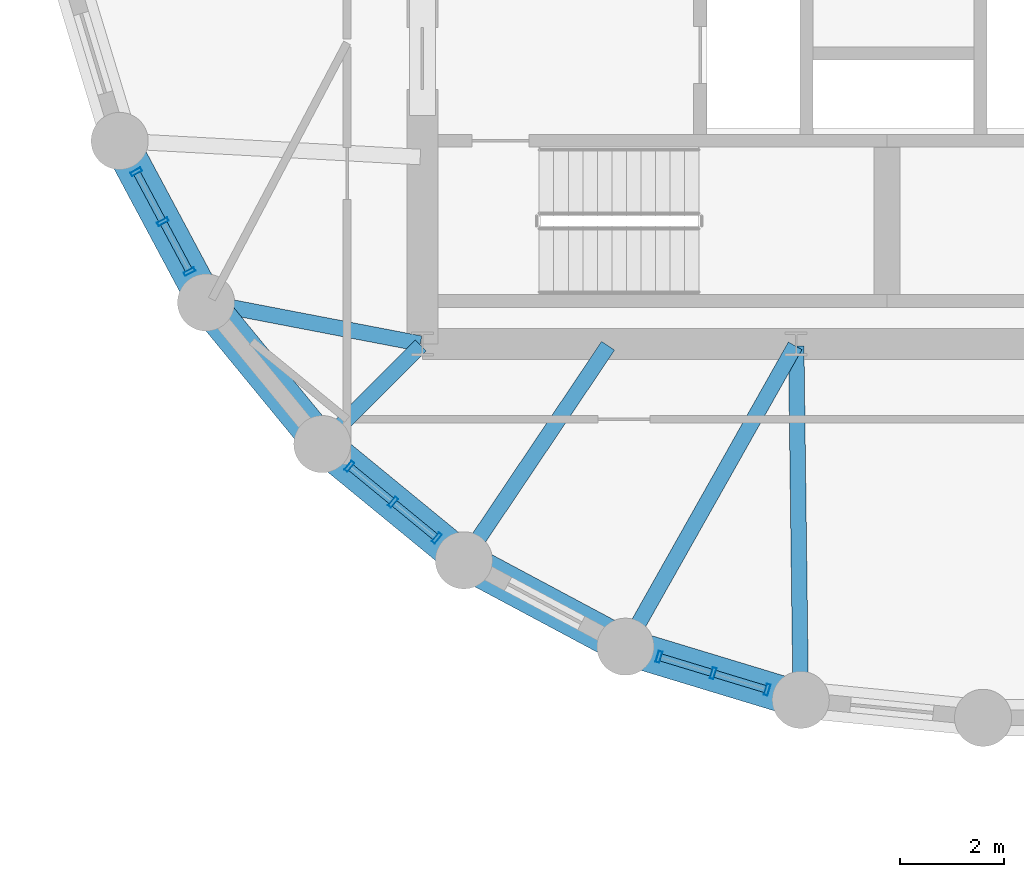
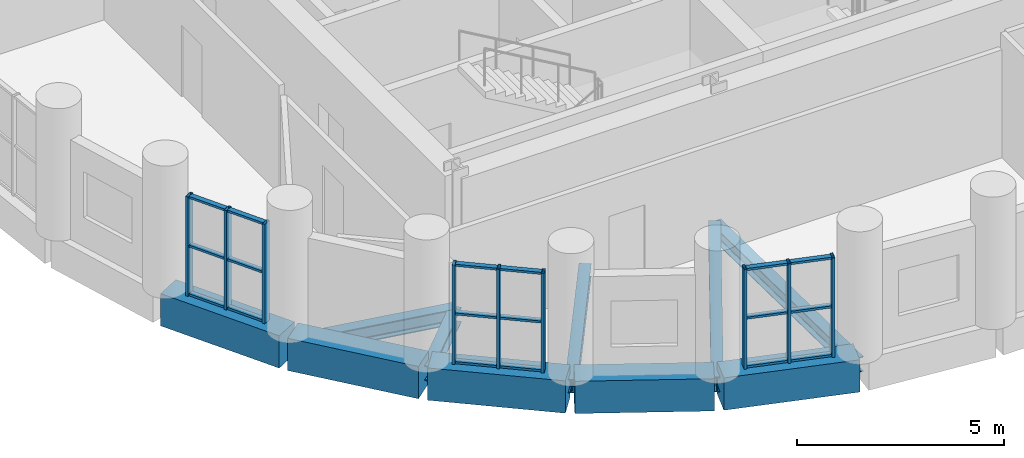
# One storey, part 2 of 11: 27 members, 10 beams, 3 elements without a shape of their own.
"""IFC4 building model written with IfcOpenShell, lengths in metres."""

from ifc_helpers import new_model, si_unit, direction, frame, origin, origin_2d, place, context, subcontext, project, spatial, rectangle, hollow_rectangle, i_section, extrude, material, layer, layer_set, material_profile, profile_set, type_object, element, aggregate, save


model = new_model("IFC4")

# Units and contexts
model_context = context("Model", 3, precision=1e-05, world=origin(), true_north=direction((0.0, 1.0)))
body_context = subcontext(model_context, "Body", "Model", "MODEL_VIEW")
ifc_project = project(units=[si_unit("LENGTHUNIT", "METRE"), si_unit("AREAUNIT", "SQUARE_METRE"), si_unit("VOLUMEUNIT", "CUBIC_METRE"), si_unit("PLANEANGLEUNIT", "RADIAN"), si_unit("MASSUNIT", "GRAM", prefix="KILO")], contexts=[model_context])

# Site, building, storey
site_placement = place(None, origin())
site = spatial("IfcSite", under=ifc_project, at=site_placement, CompositionType="ELEMENT")
building_placement = place(site_placement, origin())
building = spatial("IfcBuilding", under=site, at=building_placement, Name="Solnavia Interchange Tower", CompositionType="ELEMENT")
storey_placement = place(building_placement, frame((0.0, 0.0, 99.60009765625)))
storey = spatial("IfcBuildingStorey", under=building, at=storey_placement, Name="L24", CompositionType="ELEMENT", Elevation=99.60009765625)

# Beams
ifc_material_1 = material(Name="Steel S460", Category="steel")
ifc_material_profile_1 = material_profile(ifc_material_1, i_section(OverallWidth=0.300048828125, OverallDepth=0.449951171875, WebThickness=0.013916015625, FlangeThickness=0.02587890625, FilletRadius=0.027099609375, at=origin_2d()), Name="HEB 450")
ifc_profile_set_1 = profile_set([ifc_material_profile_1], Name="Steel S460")
beam_type_1 = type_object("IfcBeamType", Name="Beam-Girder-HEB450", PredefinedType="BEAM", material=ifc_profile_set_1)
beam_1_placement = place(storey_placement, frame((10.3125, 11.5849609375, -0.47509765625), z_axis=(0.982057527796, -0.188581579428, 0.0), x_axis=(0.188581579428, 0.982057527796, 0.0)))
element("IfcBeam", 1, at=beam_1_placement, inside=storey, type_object=beam_type_1, Name="GRD-L24-DR22 Drum radial floor girder", PredefinedType="BEAM", context=body_context, shape_type="SweptSolid", body=[
    extrude(i_section(OverallWidth=0.300048828125, OverallDepth=0.449951171875, WebThickness=0.013916015625, FlangeThickness=0.02587890625, FilletRadius=0.027099609375, at=origin_2d()), origin(), (0.0, 0.0, 1.0), 4.1220703125),
])
beam_2_placement = place(storey_placement, frame((18.351318359375, 5.039794921875, -0.47509765625), z_axis=(0.491243158486, 0.871022479182, 0.0), x_axis=(-0.871022479182, 0.491243158486, 0.0)))
element("IfcBeam", 2, at=beam_2_placement, inside=storey, type_object=beam_type_1, Name="GRD-L24-DR25 Drum radial floor girder", PredefinedType="BEAM", context=body_context, shape_type="SweptSolid", body=[
    extrude(i_section(OverallWidth=0.300048828125, OverallDepth=0.449951171875, WebThickness=0.013916015625, FlangeThickness=0.02587890625, FilletRadius=0.027099609375, at=origin_2d()), origin(), (0.0, 0.0, 1.0), 6.5732421875),
])
ifc_material_2 = material(Name="Steel S355", Category="steel")
ifc_material_profile_2 = material_profile(ifc_material_2, i_section(OverallWidth=0.300048828125, OverallDepth=0.389892578125, WebThickness=0.010986328125, FlangeThickness=0.01904296875, FilletRadius=0.027099609375, at=origin_2d()), Name="HEA 400")
ifc_profile_set_2 = profile_set([ifc_material_profile_2], Name="Steel S355")
beam_type_2 = type_object("IfcBeamType", Name="Beam-Primary-HEA400", PredefinedType="BEAM", material=ifc_profile_set_2)
beam_3_placement = place(storey_placement, frame((15.24462890625, 6.700439453125, -0.445068359375), z_axis=(0.557835474219, 0.829951555033, 0.0), x_axis=(-0.829951555033, 0.557835474219, 0.0)))
element("IfcBeam", 3, at=beam_3_placement, inside=storey, type_object=beam_type_2, Name="GRD-L24-DR24 Drum radial floor girder", PredefinedType="BEAM", context=body_context, shape_type="SweptSolid", body=[
    extrude(i_section(OverallWidth=0.300048828125, OverallDepth=0.389892578125, WebThickness=0.010986328125, FlangeThickness=0.01904296875, FilletRadius=0.027099609375, at=origin_2d()), origin(), (0.0, 0.0, 1.0), 4.899658203125),
])
ifc_material_profile_3 = material_profile(ifc_material_2, i_section(OverallWidth=0.300048828125, OverallDepth=0.43994140625, WebThickness=0.011474609375, FlangeThickness=0.02099609375, FilletRadius=0.027099609375, at=origin_2d()), Name="HEA 450")
ifc_profile_set_3 = profile_set([ifc_material_profile_3], Name="Steel S355")
beam_type_3 = type_object("IfcBeamType", Name="Beam-Primary-HEA450", PredefinedType="BEAM", material=ifc_profile_set_3)
beam_4_placement = place(storey_placement, frame((12.528564453125, 8.9287109375, -0.47021484375), z_axis=(0.707106781187, 0.707106781187, 0.0), x_axis=(-0.707106781187, 0.707106781187, 0.0)))
element("IfcBeam", 4, at=beam_4_placement, inside=storey, type_object=beam_type_3, Name="GRD-L24-DR23 Drum radial floor girder", PredefinedType="BEAM", context=body_context, shape_type="SweptSolid", body=[
    extrude(i_section(OverallWidth=0.300048828125, OverallDepth=0.43994140625, WebThickness=0.011474609375, FlangeThickness=0.02099609375, FilletRadius=0.027099609375, at=origin_2d()), origin(), (0.0, 0.0, 1.0), 2.6064453125),
])
beam_5_placement = place(storey_placement, frame((21.68701171875, 4.02587890625, -0.47021484375), z_axis=(-0.01283293513, 0.999917654498, 0.0), x_axis=(-0.999917654498, -0.01283293513, 0.0)))
element("IfcBeam", 5, at=beam_5_placement, inside=storey, type_object=beam_type_3, Name="GRD-L24-DR26 Drum radial floor girder", PredefinedType="BEAM", context=body_context, shape_type="SweptSolid", body=[
    extrude(i_section(OverallWidth=0.300048828125, OverallDepth=0.43994140625, WebThickness=0.011474609375, FlangeThickness=0.02099609375, FilletRadius=0.027099609375, at=origin_2d()), origin(), (0.0, 0.0, 1.0), 6.734619140625),
])
ifc_material_3 = material(Name="Concrete C50/60", Category="concrete")
ifc_material_profile_4 = material_profile(ifc_material_3, rectangle(XDim=0.699951171875, YDim=0.949951171875, at=origin_2d()), Name="RC 700x950")
ifc_profile_set_4 = profile_set([ifc_material_profile_4], Name="Concrete C50/60")
beam_type_4 = type_object("IfcBeamType", Name="Beam-Spandrel-RC700x950", PredefinedType="SPANDREL", material=ifc_profile_set_4)
beam_6_placement = place(storey_placement, frame((8.607666015625, 14.6416015625, -0.47509765625), z_axis=(0.471509422952, -0.881861023102, 0.0), x_axis=(0.881861023102, 0.471509422952, 0.0)))
element("IfcBeam", 6, at=beam_6_placement, inside=storey, type_object=beam_type_4, Name="SPB-L24-03 Framed-tube perimeter spandrel beam", PredefinedType="SPANDREL", context=body_context, shape_type="SweptSolid", body=[
    extrude(rectangle(XDim=0.699951171875, YDim=0.949951171875, at=origin_2d()), origin(), (0.0, 0.0, 1.0), 3.369140625),
])
for number, where, z_axis, x_axis, name in (
    (7, (10.28466796875, 11.5380859375, -0.47509765625), (0.634298841675, -0.773087950656, 0.0), (0.773087950656, 0.634298841675, 0.0), "SPB-L24-04 Framed-tube perimeter spandrel beam"),
    (8, (12.53369140625, 8.8212890625, -0.47509765625), (0.773152644452, -0.634219984214, 0.0), (0.634219984214, 0.773152644452, 0.0), "SPB-L24-05 Framed-tube perimeter spandrel beam"),
):
    element("IfcBeam", number, at=place(storey_placement, frame(where, z_axis=z_axis, x_axis=x_axis)), inside=storey, type_object=beam_type_4, Name=name, PredefinedType="SPANDREL", context=body_context, shape_type="SweptSolid", body=[
        extrude(rectangle(XDim=0.699951171875, YDim=0.949951171875, at=origin_2d()), origin(), (0.0, 0.0, 1.0), 3.36865234375),
    ])
beam_7_placement = place(storey_placement, frame((15.2705078125, 6.59619140625, -0.47509765625), z_axis=(0.881875044348, -0.47148319817, 0.0), x_axis=(0.47148319817, 0.881875044348, 0.0)))
element("IfcBeam", 9, at=beam_7_placement, inside=storey, type_object=beam_type_4, Name="SPB-L24-06 Framed-tube perimeter spandrel beam", PredefinedType="SPANDREL", context=body_context, shape_type="SweptSolid", body=[
    extrude(rectangle(XDim=0.699951171875, YDim=0.949951171875, at=origin_2d()), origin(), (0.0, 0.0, 1.0), 3.368896484375),
])
beam_8_placement = place(storey_placement, frame((18.388671875, 4.94677734375, -0.47509765625), z_axis=(0.956943884494, -0.290272978297, 0.0), x_axis=(0.290272978297, 0.956943884494, 0.0)))
element("IfcBeam", 10, at=beam_8_placement, inside=storey, type_object=beam_type_4, Name="SPB-L24-07 Framed-tube perimeter spandrel beam", PredefinedType="SPANDREL", context=body_context, shape_type="SweptSolid", body=[
    extrude(rectangle(XDim=0.699951171875, YDim=0.949951171875, at=origin_2d()), origin(), (0.0, 0.0, 1.0), 3.36767578125),
])

# Curtain wall, members
ifc_material_4 = material(Name="Aluminium Alloy 6063-T6", Category="aluminium")
ifc_layer = layer(ifc_material_4, 0.239990234375)
ifc_layer_set = layer_set([ifc_layer], Name="Aluminium Alloy 6063-T6")
curtain_wall_type = type_object("IfcCurtainWallType", Name="CurtainWall-Drum-CTW2", PredefinedType="NOTDEFINED", material=ifc_layer_set)
curtain_wall_1_placement = place(storey_placement, origin())
curtain_wall_1 = element("IfcCurtainWall", 11, at=curtain_wall_1_placement, inside=storey, type_object=curtain_wall_type, Name="CTW-L24-D55 CTW-2 curtain wall", PredefinedType="NOTDEFINED")
ifc_material_profile_5 = material_profile(ifc_material_4, hollow_rectangle(XDim=0.074951171875, YDim=0.219970703125, WallThickness=0.0048828125, at=origin_2d()), Name="ALU 220x75x5")
ifc_profile_set_5 = profile_set([ifc_material_profile_5], Name="Aluminium Alloy 6063-T6")
member_type_1 = type_object("IfcMemberType", Name="CW-Mullion-CWM-2", PredefinedType="MULLION", material=ifc_profile_set_5)
member_1_placement = place(storey_placement, frame((8.88818359375, 14.11669921875, 0.0), z_axis=(0.0, 0.0, 1.0), x_axis=(0.471536719402, -0.881846427818, 0.0)))
member_1 = element("IfcMember", 12, at=member_1_placement, type_object=member_type_1, Name="CTW-2 mullion 1", PredefinedType="MULLION", context=body_context, shape_type="SweptSolid", body=[
    extrude(hollow_rectangle(XDim=0.074951171875, YDim=0.219970703125, WallThickness=0.0048828125, at=origin_2d()), origin(), (0.0, 0.0, 1.0), 2.929931640625),
])
member_2_placement = place(storey_placement, frame((9.402099609375, 13.156005859375, 0.0), z_axis=(0.0, 0.0, 1.0), x_axis=(0.471536719402, -0.881846427818, 0.0)))
member_2 = element("IfcMember", 13, at=member_2_placement, type_object=member_type_1, Name="CTW-2 mullion 2", PredefinedType="MULLION", context=body_context, shape_type="SweptSolid", body=[
    extrude(hollow_rectangle(XDim=0.074951171875, YDim=0.219970703125, WallThickness=0.0048828125, at=origin_2d()), origin(), (0.0, 0.0, 1.0), 2.929931640625),
])
member_3_placement = place(storey_placement, frame((9.915771484375, 12.1953125, 0.0), z_axis=(0.0, 0.0, 1.0), x_axis=(0.471536719402, -0.881846427818, 0.0)))
member_3 = element("IfcMember", 14, at=member_3_placement, type_object=member_type_1, Name="CTW-2 mullion 3", PredefinedType="MULLION", context=body_context, shape_type="SweptSolid", body=[
    extrude(hollow_rectangle(XDim=0.074951171875, YDim=0.219970703125, WallThickness=0.0048828125, at=origin_2d()), origin(), (0.0, 0.0, 1.0), 2.929931640625),
])

curtain_wall_2_placement = place(storey_placement, origin())
curtain_wall_2 = element("IfcCurtainWall", 15, at=curtain_wall_2_placement, inside=storey, type_object=curtain_wall_type, Name="CTW-L24-D57 CTW-2 curtain wall", PredefinedType="NOTDEFINED")
member_4_placement = place(storey_placement, frame((12.993896484375, 8.44384765625, 0.0), z_axis=(0.0, 0.0, 1.0), x_axis=(0.773094572227, -0.634290771172, 0.0)))
member_4 = element("IfcMember", 16, at=member_4_placement, type_object=member_type_1, Name="CTW-2 mullion 1", PredefinedType="MULLION", context=body_context, shape_type="SweptSolid", body=[
    extrude(hollow_rectangle(XDim=0.074951171875, YDim=0.219970703125, WallThickness=0.0048828125, at=origin_2d()), origin(), (0.0, 0.0, 1.0), 2.929931640625),
])
member_5_placement = place(storey_placement, frame((13.8359375, 7.7529296875, 0.0), z_axis=(0.0, 0.0, 1.0), x_axis=(0.773094572227, -0.634290771172, 0.0)))
member_5 = element("IfcMember", 17, at=member_5_placement, type_object=member_type_1, Name="CTW-2 mullion 2", PredefinedType="MULLION", context=body_context, shape_type="SweptSolid", body=[
    extrude(hollow_rectangle(XDim=0.074951171875, YDim=0.219970703125, WallThickness=0.0048828125, at=origin_2d()), origin(), (0.0, 0.0, 1.0), 2.929931640625),
])
member_6_placement = place(storey_placement, frame((14.67822265625, 7.06201171875, 0.0), z_axis=(0.0, 0.0, 1.0), x_axis=(0.773094572227, -0.634290771172, 0.0)))
member_6 = element("IfcMember", 18, at=member_6_placement, type_object=member_type_1, Name="CTW-2 mullion 3", PredefinedType="MULLION", context=body_context, shape_type="SweptSolid", body=[
    extrude(hollow_rectangle(XDim=0.074951171875, YDim=0.219970703125, WallThickness=0.0048828125, at=origin_2d()), origin(), (0.0, 0.0, 1.0), 2.929931640625),
])

curtain_wall_3_placement = place(storey_placement, origin())
curtain_wall_3 = element("IfcCurtainWall", 19, at=curtain_wall_3_placement, inside=storey, type_object=curtain_wall_type, Name="CTW-L24-D59 CTW-2 curtain wall", PredefinedType="NOTDEFINED")
member_7_placement = place(storey_placement, frame((18.9580078125, 4.774169921875, 0.0), z_axis=(0.0, 0.0, 1.0), x_axis=(0.956934759739, -0.290303058206, 0.0)))
member_7 = element("IfcMember", 20, at=member_7_placement, type_object=member_type_1, Name="CTW-2 mullion 1", PredefinedType="MULLION", context=body_context, shape_type="SweptSolid", body=[
    extrude(hollow_rectangle(XDim=0.074951171875, YDim=0.219970703125, WallThickness=0.0048828125, at=origin_2d()), origin(), (0.0, 0.0, 1.0), 2.929931640625),
])
member_8_placement = place(storey_placement, frame((20.0, 4.4580078125, 0.0), z_axis=(0.0, 0.0, 1.0), x_axis=(0.956934759739, -0.290303058206, 0.0)))
member_8 = element("IfcMember", 21, at=member_8_placement, type_object=member_type_1, Name="CTW-2 mullion 2", PredefinedType="MULLION", context=body_context, shape_type="SweptSolid", body=[
    extrude(hollow_rectangle(XDim=0.074951171875, YDim=0.219970703125, WallThickness=0.0048828125, at=origin_2d()), origin(), (0.0, 0.0, 1.0), 2.929931640625),
])
member_9_placement = place(storey_placement, frame((21.0419921875, 4.141845703125, 0.0), z_axis=(0.0, 0.0, 1.0), x_axis=(0.956934759739, -0.290303058206, 0.0)))
member_9 = element("IfcMember", 22, at=member_9_placement, type_object=member_type_1, Name="CTW-2 mullion 3", PredefinedType="MULLION", context=body_context, shape_type="SweptSolid", body=[
    extrude(hollow_rectangle(XDim=0.074951171875, YDim=0.219970703125, WallThickness=0.0048828125, at=origin_2d()), origin(), (0.0, 0.0, 1.0), 2.929931640625),
])

# Member
ifc_material_profile_6 = material_profile(ifc_material_4, hollow_rectangle(XDim=0.06494140625, YDim=0.139892578125, WallThickness=0.00390625, at=origin_2d()), Name="ALU 140x65x4")
ifc_profile_set_6 = profile_set([ifc_material_profile_6], Name="Aluminium Alloy 6063-T6")
member_type_2 = type_object("IfcMemberType", Name="CW-Transom-CWT-2", PredefinedType="USERDEFINED", material=ifc_profile_set_6)
member_10_placement = place(storey_placement, frame((8.906005859375, 14.083740234375, 0.032470703125), z_axis=(0.471399859925, -0.88191959501, 0.0), x_axis=(0.0, 0.0, 1.0)))
member_10 = element("IfcMember", 23, at=member_10_placement, type_object=member_type_2, Name="CTW-2 transom 1.1", ObjectType="TRANSOM", PredefinedType="USERDEFINED", context=body_context, shape_type="SweptSolid", body=[
    extrude(hollow_rectangle(XDim=0.06494140625, YDim=0.139892578125, WallThickness=0.00390625, at=origin_2d()), origin(), (0.0, 0.0, 1.0), 1.0146484375),
])

member_11_placement = place(storey_placement, frame((8.906005859375, 14.083740234375, 1.46484375), z_axis=(0.471399859925, -0.88191959501, 0.0), x_axis=(0.0, 0.0, 1.0)))
member_11 = element("IfcMember", 24, at=member_11_placement, type_object=member_type_2, Name="CTW-2 transom 1.2", ObjectType="TRANSOM", PredefinedType="USERDEFINED", context=body_context, shape_type="SweptSolid", body=[
    extrude(hollow_rectangle(XDim=0.06494140625, YDim=0.139892578125, WallThickness=0.00390625, at=origin_2d()), origin(), (0.0, 0.0, 1.0), 1.0146484375),
])

member_12_placement = place(storey_placement, frame((8.906005859375, 14.083740234375, 2.8974609375), z_axis=(0.471399859925, -0.88191959501, 0.0), x_axis=(0.0, 0.0, 1.0)))
member_12 = element("IfcMember", 25, at=member_12_placement, type_object=member_type_2, Name="CTW-2 transom 1.3", ObjectType="TRANSOM", PredefinedType="USERDEFINED", context=body_context, shape_type="SweptSolid", body=[
    extrude(hollow_rectangle(XDim=0.06494140625, YDim=0.139892578125, WallThickness=0.00390625, at=origin_2d()), origin(), (0.0, 0.0, 1.0), 1.0146484375),
])

member_13_placement = place(storey_placement, frame((9.419677734375, 13.123046875, 0.032470703125), z_axis=(0.471399859925, -0.88191959501, 0.0), x_axis=(0.0, 0.0, 1.0)))
member_13 = element("IfcMember", 26, at=member_13_placement, type_object=member_type_2, Name="CTW-2 transom 2.1", ObjectType="TRANSOM", PredefinedType="USERDEFINED", context=body_context, shape_type="SweptSolid", body=[
    extrude(hollow_rectangle(XDim=0.06494140625, YDim=0.139892578125, WallThickness=0.00390625, at=origin_2d()), origin(), (0.0, 0.0, 1.0), 1.0146484375),
])

member_14_placement = place(storey_placement, frame((9.419677734375, 13.123046875, 1.46484375), z_axis=(0.471399859925, -0.88191959501, 0.0), x_axis=(0.0, 0.0, 1.0)))
member_14 = element("IfcMember", 27, at=member_14_placement, type_object=member_type_2, Name="CTW-2 transom 2.2", ObjectType="TRANSOM", PredefinedType="USERDEFINED", context=body_context, shape_type="SweptSolid", body=[
    extrude(hollow_rectangle(XDim=0.06494140625, YDim=0.139892578125, WallThickness=0.00390625, at=origin_2d()), origin(), (0.0, 0.0, 1.0), 1.0146484375),
])

member_15_placement = place(storey_placement, frame((9.419677734375, 13.123046875, 2.8974609375), z_axis=(0.471399859925, -0.88191959501, 0.0), x_axis=(0.0, 0.0, 1.0)))
member_15 = element("IfcMember", 28, at=member_15_placement, type_object=member_type_2, Name="CTW-2 transom 2.3", ObjectType="TRANSOM", PredefinedType="USERDEFINED", context=body_context, shape_type="SweptSolid", body=[
    extrude(hollow_rectangle(XDim=0.06494140625, YDim=0.139892578125, WallThickness=0.00390625, at=origin_2d()), origin(), (0.0, 0.0, 1.0), 1.0146484375),
])

aggregate(curtain_wall_1, [member_1, member_2, member_3, member_10, member_11, member_12, member_13, member_14, member_15])

member_16_placement = place(storey_placement, frame((13.02294921875, 8.420166015625, 0.032470703125), z_axis=(0.773130870672, -0.634246526844, 0.0), x_axis=(0.0, 0.0, 1.0)))
member_16 = element("IfcMember", 29, at=member_16_placement, type_object=member_type_2, Name="CTW-2 transom 1.1", ObjectType="TRANSOM", PredefinedType="USERDEFINED", context=body_context, shape_type="SweptSolid", body=[
    extrude(hollow_rectangle(XDim=0.06494140625, YDim=0.139892578125, WallThickness=0.00390625, at=origin_2d()), origin(), (0.0, 0.0, 1.0), 1.014404296875),
])

member_17_placement = place(storey_placement, frame((13.02294921875, 8.420166015625, 1.46484375), z_axis=(0.773130870672, -0.634246526844, 0.0), x_axis=(0.0, 0.0, 1.0)))
member_17 = element("IfcMember", 30, at=member_17_placement, type_object=member_type_2, Name="CTW-2 transom 1.2", ObjectType="TRANSOM", PredefinedType="USERDEFINED", context=body_context, shape_type="SweptSolid", body=[
    extrude(hollow_rectangle(XDim=0.06494140625, YDim=0.139892578125, WallThickness=0.00390625, at=origin_2d()), origin(), (0.0, 0.0, 1.0), 1.014404296875),
])

member_18_placement = place(storey_placement, frame((13.02294921875, 8.420166015625, 2.8974609375), z_axis=(0.773130870672, -0.634246526844, 0.0), x_axis=(0.0, 0.0, 1.0)))
member_18 = element("IfcMember", 31, at=member_18_placement, type_object=member_type_2, Name="CTW-2 transom 1.3", ObjectType="TRANSOM", PredefinedType="USERDEFINED", context=body_context, shape_type="SweptSolid", body=[
    extrude(hollow_rectangle(XDim=0.06494140625, YDim=0.139892578125, WallThickness=0.00390625, at=origin_2d()), origin(), (0.0, 0.0, 1.0), 1.014404296875),
])

member_19_placement = place(storey_placement, frame((13.864990234375, 7.729248046875, 0.032470703125), z_axis=(0.773130870672, -0.634246526844, 0.0), x_axis=(0.0, 0.0, 1.0)))
member_19 = element("IfcMember", 32, at=member_19_placement, type_object=member_type_2, Name="CTW-2 transom 2.1", ObjectType="TRANSOM", PredefinedType="USERDEFINED", context=body_context, shape_type="SweptSolid", body=[
    extrude(hollow_rectangle(XDim=0.06494140625, YDim=0.139892578125, WallThickness=0.00390625, at=origin_2d()), origin(), (0.0, 0.0, 1.0), 1.014404296875),
])

member_20_placement = place(storey_placement, frame((13.864990234375, 7.729248046875, 1.46484375), z_axis=(0.773130870672, -0.634246526844, 0.0), x_axis=(0.0, 0.0, 1.0)))
member_20 = element("IfcMember", 33, at=member_20_placement, type_object=member_type_2, Name="CTW-2 transom 2.2", ObjectType="TRANSOM", PredefinedType="USERDEFINED", context=body_context, shape_type="SweptSolid", body=[
    extrude(hollow_rectangle(XDim=0.06494140625, YDim=0.139892578125, WallThickness=0.00390625, at=origin_2d()), origin(), (0.0, 0.0, 1.0), 1.014404296875),
])

member_21_placement = place(storey_placement, frame((13.864990234375, 7.729248046875, 2.8974609375), z_axis=(0.773130870672, -0.634246526844, 0.0), x_axis=(0.0, 0.0, 1.0)))
member_21 = element("IfcMember", 34, at=member_21_placement, type_object=member_type_2, Name="CTW-2 transom 2.3", ObjectType="TRANSOM", PredefinedType="USERDEFINED", context=body_context, shape_type="SweptSolid", body=[
    extrude(hollow_rectangle(XDim=0.06494140625, YDim=0.139892578125, WallThickness=0.00390625, at=origin_2d()), origin(), (0.0, 0.0, 1.0), 1.014404296875),
])

aggregate(curtain_wall_2, [member_4, member_5, member_6, member_16, member_17, member_18, member_19, member_20, member_21])

member_22_placement = place(storey_placement, frame((18.993896484375, 4.76318359375, 0.032470703125), z_axis=(0.956973757237, -0.290174478478, 0.0), x_axis=(0.0, 0.0, 1.0)))
member_22 = element("IfcMember", 35, at=member_22_placement, type_object=member_type_2, Name="CTW-2 transom 1.1", ObjectType="TRANSOM", PredefinedType="USERDEFINED", context=body_context, shape_type="SweptSolid", body=[
    extrude(hollow_rectangle(XDim=0.06494140625, YDim=0.139892578125, WallThickness=0.00390625, at=origin_2d()), origin(), (0.0, 0.0, 1.0), 1.013916015625),
])

member_23_placement = place(storey_placement, frame((18.993896484375, 4.76318359375, 1.46484375), z_axis=(0.956973757237, -0.290174478478, 0.0), x_axis=(0.0, 0.0, 1.0)))
member_23 = element("IfcMember", 36, at=member_23_placement, type_object=member_type_2, Name="CTW-2 transom 1.2", ObjectType="TRANSOM", PredefinedType="USERDEFINED", context=body_context, shape_type="SweptSolid", body=[
    extrude(hollow_rectangle(XDim=0.06494140625, YDim=0.139892578125, WallThickness=0.00390625, at=origin_2d()), origin(), (0.0, 0.0, 1.0), 1.013916015625),
])

member_24_placement = place(storey_placement, frame((18.993896484375, 4.76318359375, 2.8974609375), z_axis=(0.956973757237, -0.290174478478, 0.0), x_axis=(0.0, 0.0, 1.0)))
member_24 = element("IfcMember", 37, at=member_24_placement, type_object=member_type_2, Name="CTW-2 transom 1.3", ObjectType="TRANSOM", PredefinedType="USERDEFINED", context=body_context, shape_type="SweptSolid", body=[
    extrude(hollow_rectangle(XDim=0.06494140625, YDim=0.139892578125, WallThickness=0.00390625, at=origin_2d()), origin(), (0.0, 0.0, 1.0), 1.013916015625),
])

member_25_placement = place(storey_placement, frame((20.035888671875, 4.447021484375, 0.032470703125), z_axis=(0.956973757237, -0.290174478478, 0.0), x_axis=(0.0, 0.0, 1.0)))
member_25 = element("IfcMember", 38, at=member_25_placement, type_object=member_type_2, Name="CTW-2 transom 2.1", ObjectType="TRANSOM", PredefinedType="USERDEFINED", context=body_context, shape_type="SweptSolid", body=[
    extrude(hollow_rectangle(XDim=0.06494140625, YDim=0.139892578125, WallThickness=0.00390625, at=origin_2d()), origin(), (0.0, 0.0, 1.0), 1.013916015625),
])

member_26_placement = place(storey_placement, frame((20.035888671875, 4.447021484375, 1.46484375), z_axis=(0.956973757237, -0.290174478478, 0.0), x_axis=(0.0, 0.0, 1.0)))
member_26 = element("IfcMember", 39, at=member_26_placement, type_object=member_type_2, Name="CTW-2 transom 2.2", ObjectType="TRANSOM", PredefinedType="USERDEFINED", context=body_context, shape_type="SweptSolid", body=[
    extrude(hollow_rectangle(XDim=0.06494140625, YDim=0.139892578125, WallThickness=0.00390625, at=origin_2d()), origin(), (0.0, 0.0, 1.0), 1.013916015625),
])

member_27_placement = place(storey_placement, frame((20.035888671875, 4.447021484375, 2.8974609375), z_axis=(0.956973757237, -0.290174478478, 0.0), x_axis=(0.0, 0.0, 1.0)))
member_27 = element("IfcMember", 40, at=member_27_placement, type_object=member_type_2, Name="CTW-2 transom 2.3", ObjectType="TRANSOM", PredefinedType="USERDEFINED", context=body_context, shape_type="SweptSolid", body=[
    extrude(hollow_rectangle(XDim=0.06494140625, YDim=0.139892578125, WallThickness=0.00390625, at=origin_2d()), origin(), (0.0, 0.0, 1.0), 1.013916015625),
])

aggregate(curtain_wall_3, [member_7, member_8, member_9, member_22, member_23, member_24, member_25, member_26, member_27])

save(model, "model.ifc")
